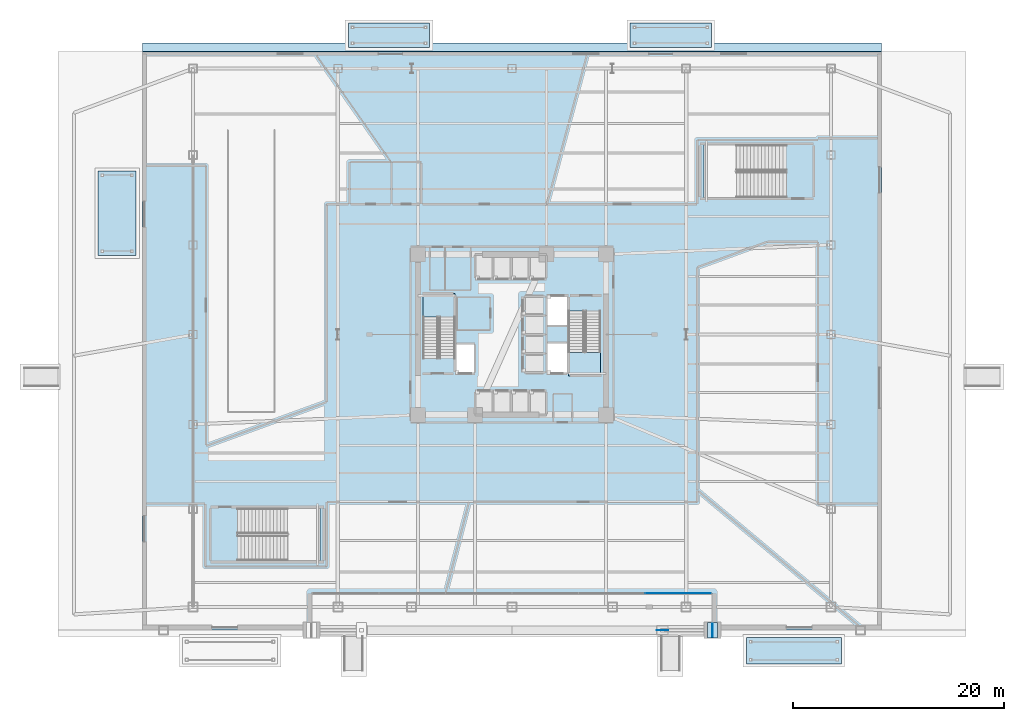
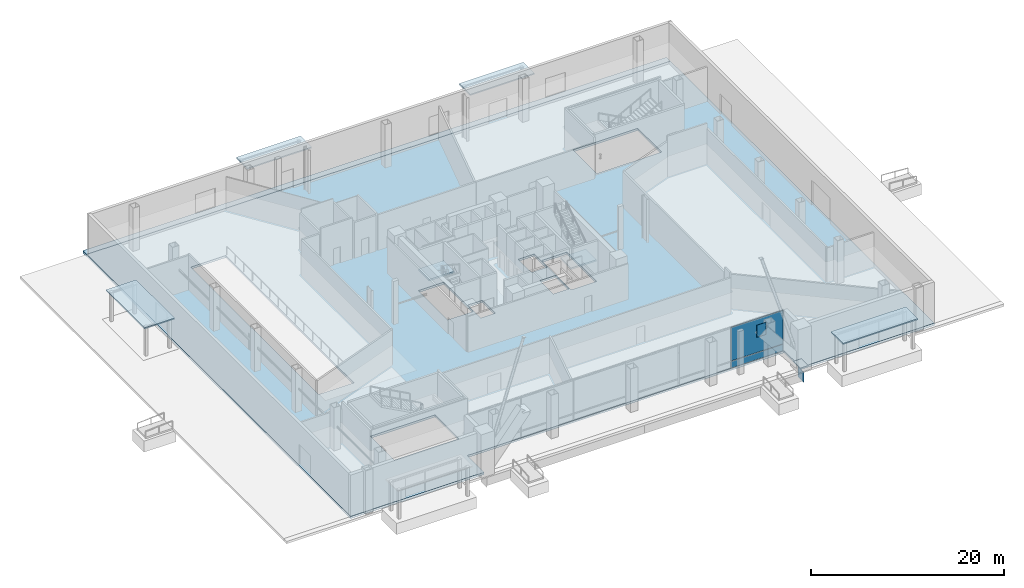
# One storey, part 12 of 27: 8 slabs, 5 plates, 3 elements without a shape of their own.
"""IFC4 building model written with IfcOpenShell, lengths in metres."""

from ifc_helpers import new_model, si_unit, direction, frame, origin, origin_2d, place, context, subcontext, project, spatial, polyline, rectangle, outline, extrude, material, layer, layer_set, type_object, element, aggregate, save


model = new_model("IFC4")

# Units and contexts
model_context = context("Model", 3, precision=1e-05, world=origin(), true_north=direction((0.0, 1.0)))
body_context = subcontext(model_context, "Body", "Model", "MODEL_VIEW")
ifc_project = project(units=[si_unit("LENGTHUNIT", "METRE"), si_unit("AREAUNIT", "SQUARE_METRE"), si_unit("VOLUMEUNIT", "CUBIC_METRE"), si_unit("PLANEANGLEUNIT", "RADIAN"), si_unit("MASSUNIT", "GRAM", prefix="KILO")], contexts=[model_context])

# Site, building, storey
site_placement = place(None, origin())
site = spatial("IfcSite", under=ifc_project, at=site_placement, CompositionType="ELEMENT")
building_placement = place(site_placement, origin())
building = spatial("IfcBuilding", under=site, at=building_placement, Name="Tharavind Bronze Gate", CompositionType="ELEMENT")
storey_placement = place(building_placement, origin())
storey = spatial("IfcBuildingStorey", under=building, at=storey_placement, Name="L00", CompositionType="ELEMENT", Elevation=0.0)

# Curtain wall, plate
ifc_material_1 = material(Name="Anodised Bronze Aluminium", Category="aluminium")
ifc_layer_1 = layer(ifc_material_1, 0.219970703125)
ifc_layer_set_1 = layer_set([ifc_layer_1], Name="Anodised Bronze Aluminium")
curtain_wall_type = type_object("IfcCurtainWallType", Name="UNITISED CURTAIN WALL PODIUM", PredefinedType="USERDEFINED", material=ifc_layer_set_1)
curtain_wall_placement = place(storey_placement, origin())
curtain_wall = element("IfcCurtainWall", 1, at=curtain_wall_placement, inside=storey, type_object=curtain_wall_type, Name="L00 unitised curtain wall podium CW-L00-ARCH", ObjectType="UNITISED CURTAIN WALL", PredefinedType="USERDEFINED")
ifc_material_2 = material(Name="Patinated Bronze Alloy Sheet", Category="bronze")
ifc_layer_2 = layer(ifc_material_2, 0.01611328125)
ifc_layer_set_2 = layer_set([ifc_layer_2], Name="Patinated Bronze Alloy Sheet")
plate_type_1 = type_object("IfcPlateType", Name="BRONZE SPANDREL CLADDING PANEL 16", PredefinedType="CURTAIN_PANEL", material=ifc_layer_set_2)
plate_1_placement = place(storey_placement, frame((15.75, -24.5, 0.033935546875), z_axis=(0.0, 0.0, 1.0), x_axis=(1.0, 0.0, 0.0)))
plate_1 = element("IfcPlate", 2, at=plate_1_placement, type_object=plate_type_1, Name="CW-L00-ARCH bronze spandrel panel 6", PredefinedType="CURTAIN_PANEL", context=body_context, shape_type="SweptSolid", body=[
    extrude(rectangle(XDim=6.23193359375, YDim=0.01611328125, at=origin_2d()), origin(), (0.0, 0.0, 1.0), 0.83203125),
])

# Slabs
ifc_material_3 = material(Name="Concrete C40/50", Category="concrete")
ifc_layer_3 = layer(ifc_material_3, 0.14990234375)
ifc_layer_set_3 = layer_set([ifc_layer_3], Name="Concrete C40/50")
slab_type_1 = type_object("IfcSlabType", Name="CANOPY ROOF SLAB 150", PredefinedType="ROOF", material=ifc_layer_set_3)
slab_1_placement = place(storey_placement, frame((0.0, 0.0, 3.699951171875)))
element("IfcSlab", 3, at=slab_1_placement, inside=storey, type_object=slab_type_1, Name="L00 entrance canopy roof slab CN2", PredefinedType="ROOF", context=body_context, shape_type="SweptSolid", body=[
    extrude(outline(polyline([(22.199951171875, -31.199951171875), (31.199951171875, -31.199951171875), (31.199951171875, -28.699951171875), (22.199951171875, -28.699951171875), (22.199951171875, -31.199951171875)])), origin(), (0.0, 0.0, 1.0), 0.150146484375),
])
slab_2_placement = place(storey_placement, frame((0.0, 0.0, 3.699951171875)))
element("IfcSlab", 4, at=slab_2_placement, inside=storey, type_object=slab_type_1, Name="L00 entrance canopy roof slab CN3", PredefinedType="ROOF", context=body_context, shape_type="SweptSolid", body=[
    extrude(outline(polyline([(-15.5, 27.199951171875), (-7.800048828125, 27.199951171875), (-7.800048828125, 29.5), (-15.5, 29.5), (-15.5, 27.199951171875)])), origin(), (0.0, 0.0, 1.0), 0.150146484375),
])
slab_3_placement = place(storey_placement, frame((0.0, 0.0, 3.699951171875)))
element("IfcSlab", 5, at=slab_3_placement, inside=storey, type_object=slab_type_1, Name="L00 entrance canopy roof slab CN4", PredefinedType="ROOF", context=body_context, shape_type="SweptSolid", body=[
    extrude(outline(polyline([(11.199951171875, 27.199951171875), (18.89990234375, 27.199951171875), (18.89990234375, 29.5), (11.199951171875, 29.5), (11.199951171875, 27.199951171875)])), origin(), (0.0, 0.0, 1.0), 0.150146484375),
])
slab_4_placement = place(storey_placement, frame((0.0, 0.0, 3.699951171875)))
element("IfcSlab", 6, at=slab_4_placement, inside=storey, type_object=slab_type_1, Name="L00 entrance canopy roof slab CN5", PredefinedType="ROOF", context=body_context, shape_type="SweptSolid", body=[
    extrude(outline(polyline([(-39.199951171875, 7.5), (-35.60009765625, 7.5), (-35.60009765625, 15.5), (-39.199951171875, 15.5), (-39.199951171875, 7.5)])), origin(), (0.0, 0.0, 1.0), 0.150146484375),
])

# Plate
ifc_material_4 = material(Name="Low-E Double Glazing", Category="glass")
ifc_layer_4 = layer(ifc_material_4, 0.031982421875)
ifc_layer_set_4 = layer_set([ifc_layer_4], Name="Low-E Double Glazing")
plate_type_2 = type_object("IfcPlateType", Name="DOUBLE GLAZED FACADE PANEL 32", PredefinedType="CURTAIN_PANEL", material=ifc_layer_set_4)
plate_2_placement = place(storey_placement, frame((15.75, -24.5, 0.93408203125), z_axis=(0.0, 0.0, 1.0), x_axis=(1.0, 0.0, 0.0)))
plate_2 = element("IfcPlate", 7, at=plate_2_placement, type_object=plate_type_2, Name="CW-L00-ARCH vision glazing panel 6", PredefinedType="CURTAIN_PANEL", context=body_context, shape_type="SweptSolid", body=[
    extrude(rectangle(XDim=6.23193359375, YDim=0.031982421875, at=origin_2d()), origin(), (0.0, 0.0, 1.0), 4.251953125),
])

aggregate(curtain_wall, [plate_1, plate_2])

# Slab
ifc_layer_5 = layer(ifc_material_3, 0.300048828125)
ifc_layer_set_5 = layer_set([ifc_layer_5], Name="Concrete C40/50")
slab_type_2 = type_object("IfcSlabType", Name="EXTERIOR TERRACE SLAB 300", PredefinedType="FLOOR", material=ifc_layer_set_5)
slab_5_placement = place(storey_placement, frame((0.0, 0.0, -0.300048828125)))
element("IfcSlab", 8, at=slab_5_placement, inside=storey, type_object=slab_type_2, Name="L00 bronze arch arrival plaza terrace N", PredefinedType="FLOOR", context=body_context, shape_type="SweptSolid", body=[
    extrude(outline(polyline([(-35.0, 26.800048828125), (35.0, 26.800048828125), (35.0, 27.60009765625), (-35.0, 27.60009765625), (-35.0, 26.800048828125)])), origin(), (0.0, 0.0, 1.0), 0.300048828125),
])

# Stair, slab
stair_type = type_object("IfcStairType", Name="CORE HALF TURN STAIR 1450", PredefinedType="HALF_TURN_STAIR", material=ifc_material_3)
stair_1_placement = place(storey_placement, origin())
stair_1 = element("IfcStair", 9, at=stair_1_placement, inside=storey, type_object=stair_type, Name="L00 Protected Exit Stair ST1", PredefinedType="HALF_TURN_STAIR")
ifc_layer_6 = layer(ifc_material_3, 0.199951171875)
ifc_layer_set_6 = layer_set([ifc_layer_6], Name="Concrete C40/50")
slab_type_3 = type_object("IfcSlabType", Name="STAIR LANDING SLAB 200", PredefinedType="LANDING", material=ifc_layer_set_6)
slab_6_placement = place(storey_placement, frame((0.0, 0.0, 2.550048828125)))
slab_6 = element("IfcSlab", 10, at=slab_6_placement, type_object=slab_type_3, Name="ST1 landing 1", PredefinedType="LANDING", context=body_context, shape_type="SweptSolid", body=[
    extrude(outline(polyline([(-5.39990234375, 1.669921875), (-5.39990234375, 3.89990234375), (-8.449951171875, 3.89990234375), (-8.449951171875, 1.669921875), (-5.39990234375, 1.669921875)])), origin(), (0.0, 0.0, 1.0), 0.199951171875),
])
aggregate(stair_1, [slab_6])

stair_2_placement = place(storey_placement, origin())
stair_2 = element("IfcStair", 11, at=stair_2_placement, inside=storey, type_object=stair_type, Name="L00 Protected Exit Stair ST2", PredefinedType="HALF_TURN_STAIR")
slab_7_placement = place(storey_placement, frame((0.0, 0.0, 2.550048828125)))
slab_7 = element("IfcSlab", 12, at=slab_7_placement, type_object=slab_type_3, Name="ST2 landing 1", PredefinedType="LANDING", context=body_context, shape_type="SweptSolid", body=[
    extrude(outline(polyline([(5.35009765625, -1.669921875), (5.35009765625, -3.89990234375), (8.39990234375, -3.89990234375), (8.39990234375, -1.669921875), (5.35009765625, -1.669921875)])), origin(), (0.0, 0.0, 1.0), 0.199951171875),
])
aggregate(stair_2, [slab_7])

# Plates
ifc_material_5 = material(Name="Steel S460", Category="steel")
ifc_layer_7 = layer(ifc_material_5, 0.02490234375)
ifc_layer_set_7 = layer_set([ifc_layer_7], Name="Steel S460")
plate_type_3 = type_object("IfcPlateType", Name="STEEL END CAP SHEET 25", PredefinedType="SHEET", material=ifc_layer_set_7)
plate_3_placement = place(storey_placement, frame((19.0, -28.0, -1.5224609375), z_axis=(0.0, 0.0, 1.0), x_axis=(1.0, 0.0, 0.0)))
element("IfcPlate", 13, at=plate_3_placement, inside=storey, type_object=plate_type_3, Name="Steel end cap plate CAP-ARCH-TIE-E", PredefinedType="SHEET", context=body_context, shape_type="SweptSolid", body=[
    extrude(rectangle(XDim=0.0400390625, YDim=1.2451171875, at=origin_2d()), origin(), (0.0, 0.0, 1.0), 1.2451171875),
])
plate_4_placement = place(storey_placement, frame((19.0, -28.0, 0.487548828125), z_axis=(0.0, 0.0, 1.0), x_axis=(1.0, 0.0, 0.0)))
element("IfcPlate", 14, at=plate_4_placement, inside=storey, type_object=plate_type_3, Name="Steel end cap plate CAP-ARCH-R8B", PredefinedType="SHEET", context=body_context, shape_type="SweptSolid", body=[
    extrude(rectangle(XDim=0.945068359375, YDim=1.445068359375, at=origin_2d()), origin(), (0.0, 0.0, 1.0), 0.02490234375),
])
ifc_layer_8 = layer(ifc_material_5, 0.035888671875)
ifc_layer_set_8 = layer_set([ifc_layer_8], Name="Steel S460")
plate_type_4 = type_object("IfcPlateType", Name="STEEL NODE GUSSET PLATE 36", PredefinedType="USERDEFINED", material=ifc_layer_set_8)
plate_5_placement = place(storey_placement, frame((14.25, -28.0, 5.65283203125), z_axis=(0.0, 0.0, 1.0), x_axis=(1.0, 0.0, 0.0)))
element("IfcPlate", 15, at=plate_5_placement, inside=storey, type_object=plate_type_4, Name="Node N7 arch rib gusset plate", ObjectType="GUSSET PLATE", PredefinedType="USERDEFINED", context=body_context, shape_type="SweptSolid", body=[
    extrude(rectangle(XDim=1.10009765625, YDim=0.035888671875, at=origin_2d()), origin(), (0.0, 0.0, 1.0), 1.550048828125),
])

# Slab
ifc_layer_9 = layer(ifc_material_3, 0.280029296875)
ifc_layer_set_9 = layer_set([ifc_layer_9], Name="Concrete C40/50")
slab_type_4 = type_object("IfcSlabType", Name="STRUCTURAL FLOOR SLAB 280", PredefinedType="FLOOR", material=ifc_layer_set_9)
slab_8_placement = place(storey_placement, frame((0.0, 0.0, -0.280029296875)))
element("IfcSlab", 16, at=slab_8_placement, inside=storey, type_object=slab_type_4, Name="L00 main structural floor slab", PredefinedType="FLOOR", context=body_context, shape_type="SweptSolid", body=[
    extrude(outline(polyline([(-35.0, -28.0), (-19.0, -28.0), (-19.0, -24.5), (19.0, -24.5), (19.0, -28.0), (35.0, -28.0), (35.0, 26.800048828125), (-35.0, 26.800048828125), (-35.0, -28.0)]), holes=[polyline([(-5.39990234375, -2.215087890625), (-5.39990234375, 3.89990234375), (-8.449951171875, 3.89990234375), (-8.449951171875, -2.215087890625), (-5.39990234375, -2.215087890625)]), polyline([(5.35009765625, 2.215087890625), (5.35009765625, -3.89990234375), (8.39990234375, -3.89990234375), (8.39990234375, 2.215087890625), (5.35009765625, 2.215087890625)]), polyline([(-25.965087890625, -21.39990234375), (-18.199951171875, -21.39990234375), (-18.199951171875, -16.449951171875), (-25.965087890625, -16.449951171875), (-25.965087890625, -21.39990234375)]), polyline([(25.965087890625, 17.949951171875), (18.199951171875, 17.949951171875), (18.199951171875, 13.0), (25.965087890625, 13.0), (25.965087890625, 17.949951171875)]), polyline([(-5.320068359375, -3.6201171875), (-3.580078125, -3.6201171875), (-3.580078125, -0.929931640625), (-5.320068359375, -0.929931640625), (-5.320068359375, -3.6201171875)]), polyline([(3.360107421875, 0.8798828125), (5.27001953125, 0.8798828125), (5.27001953125, 3.6201171875), (3.360107421875, 3.6201171875), (3.360107421875, 0.8798828125)]), polyline([(3.360107421875, -3.6201171875), (5.27001953125, -3.6201171875), (5.27001953125, -0.830078125), (3.360107421875, -0.830078125), (3.360107421875, -3.6201171875)]), polyline([(-26.800048828125, -7.199951171875), (-22.60009765625, -7.199951171875), (-22.60009765625, 19.39990234375), (-26.800048828125, 19.39990234375), (-26.800048828125, -7.199951171875)])]), origin(), (0.0, 0.0, 1.0), 0.280029296875),
])

save(model, "model.ifc")
